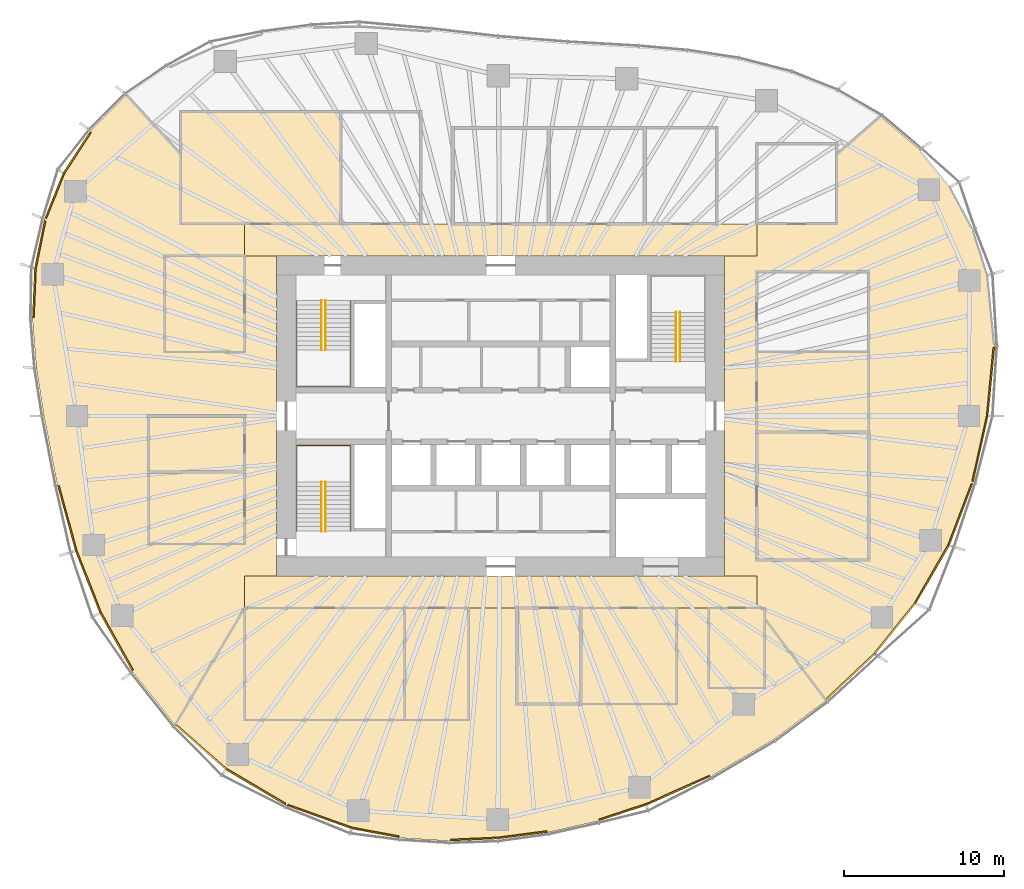
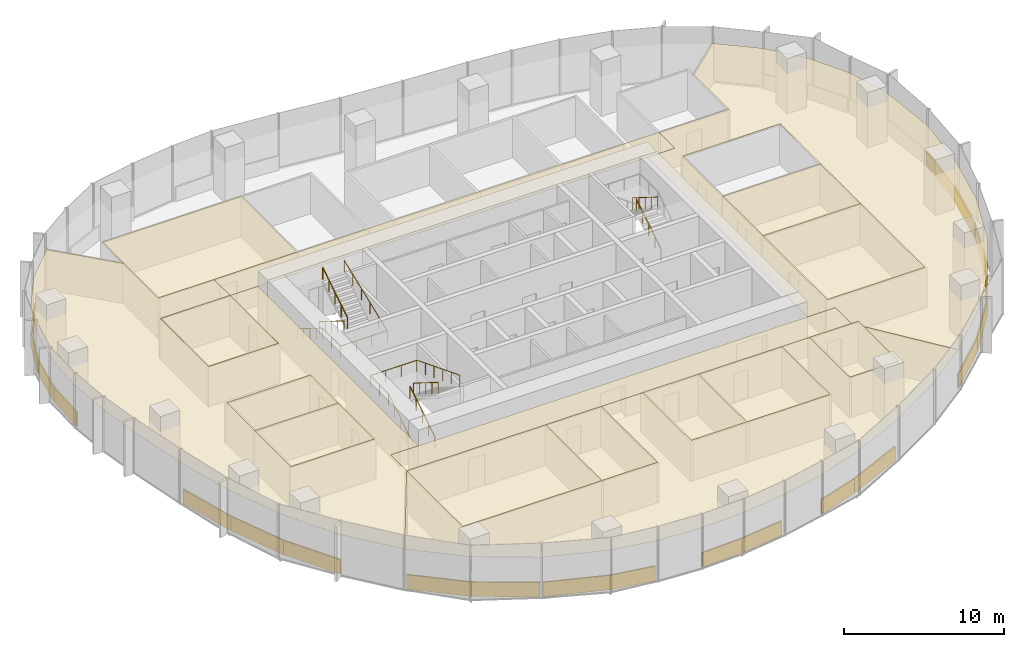
# One storey, part 17 of 18: 37 coverings, 8 railings.
"""IFC4 building model written with IfcOpenShell, lengths in metres."""

import ifcopenshell
import ifcopenshell.guid

model = None  # the IFC model being written
_history = None  # IfcOwnerHistory: only IFC2X3 demands one
_inside = {}  # id of a spatial element -> (the spatial element, [elements in it])
_under = {}  # id of a project, library or spatial element -> (it, [spatial elements below it])
_declared = {}  # id of a project -> (the project, [libraries it declares])
_typed = {}  # id of a type object -> (the type object, [elements of that type])
_made_of = {}  # id of a material, layer set ... -> (it, [elements and type objects made of it])


def new_model(schema):
    """Start an empty IFC model of exactly this schema.

    Asked for "IFC4X3", IfcOpenShell would pick the latest addendum, in which some entities
    have other attributes; the version numbers below select the first issue.
    IFC2X3 requires an IfcOwnerHistory on every rooted entity: one is made here for all.
    """
    global model, _history
    if schema == "IFC4X3":
        model = ifcopenshell.file(schema_version=(4, 3, 0, 0))
    else:
        model = ifcopenshell.file(schema=schema)
    _inside.clear()
    _under.clear()
    _declared.clear()
    _typed.clear()
    _made_of.clear()
    _history = None
    if model.schema == "IFC2X3":
        org = make("IfcOrganization", Name="unknown")
        user = make(
            "IfcPersonAndOrganization",
            ThePerson=make("IfcPerson", FamilyName="unknown"),
            TheOrganization=org,
        )
        app = make(
            "IfcApplication",
            ApplicationDeveloper=org,
            Version="unknown",
            ApplicationFullName="unknown",
            ApplicationIdentifier="unknown",
        )
        _history = make(
            "IfcOwnerHistory",
            OwningUser=user,
            OwningApplication=app,
            ChangeAction="ADDED",
            CreationDate=0,
        )
    return model


def make(cls, **values):
    """One entity of the class cls with the attributes given. An attribute that is None is left unset."""
    return model.create_entity(
        cls, **{name: value for name, value in values.items() if value is not None}
    )


def rooted(cls, **values):
    """An entity with a GlobalId (a new one), such as an element, a storey or a relation."""
    return make(cls, GlobalId=ifcopenshell.guid.new(), OwnerHistory=_history, **values)


def si_unit(unit_type, name, prefix=None):
    """IfcSIUnit, for example si_unit("LENGTHUNIT", "METRE", prefix="MILLI")."""
    return make("IfcSIUnit", UnitType=unit_type, Prefix=prefix, Name=name)


def assignment(units):
    """IfcUnitAssignment: the units of a project."""
    return None if units is None else make("IfcUnitAssignment", Units=units)


def point(xyz):
    """IfcCartesianPoint."""
    return None if xyz is None else make("IfcCartesianPoint", Coordinates=xyz)


def direction(xyz):
    """IfcDirection."""
    return None if xyz is None else make("IfcDirection", DirectionRatios=xyz)


def frame(location, z_axis=None, x_axis=None):
    """IfcAxis2Placement3D, a coordinate frame: its origin and axes. An axis left out is left unset."""
    return make(
        "IfcAxis2Placement3D",
        Location=point(location),
        Axis=direction(z_axis),
        RefDirection=direction(x_axis),
    )


def frame_2d(location, x_axis=None):
    """IfcAxis2Placement2D, a coordinate frame in the plane: its origin and x axis."""
    return make(
        "IfcAxis2Placement2D", Location=point(location), RefDirection=direction(x_axis)
    )


def origin():
    """The frame at (0, 0, 0) with its axes left unset."""
    return frame((0.0, 0.0, 0.0))


def origin_2d():
    """The frame at (0, 0) in the plane with its x axis left unset."""
    return frame_2d((0.0, 0.0))


def place(relative_to, where):
    """IfcLocalPlacement: puts the frame where relative to a parent placement (None: the world)."""
    return make(
        "IfcLocalPlacement", PlacementRelTo=relative_to, RelativePlacement=where
    )


def context(
    kind, dimensions, precision=None, world=None, true_north=None, identifier=None
):
    """IfcGeometricRepresentationContext, for example the 3D "Model" context."""
    return make(
        "IfcGeometricRepresentationContext",
        ContextIdentifier=identifier,
        ContextType=kind,
        CoordinateSpaceDimension=dimensions,
        Precision=precision,
        WorldCoordinateSystem=world,
        TrueNorth=true_north,
    )


def subcontext(parent, identifier, kind, view, scale=None):
    """IfcGeometricRepresentationSubContext, for example "Body" below "Model"."""
    return make(
        "IfcGeometricRepresentationSubContext",
        ContextIdentifier=identifier,
        ContextType=kind,
        ParentContext=parent,
        TargetScale=scale,
        TargetView=view,
    )


def project(units=None, contexts=None):
    """IfcProject with its units and contexts."""
    return rooted(
        "IfcProject",
        Name="project",
        RepresentationContexts=contexts,
        UnitsInContext=assignment(units),
    )


def spatial(cls, under=None, at=None, **own):
    """A site, building, storey or space (cls), placed at a placement, below another one or the project."""
    s = rooted(cls, ObjectPlacement=at, **own)
    if under is not None:
        _under.setdefault(under.id(), (under, []))[1].append(s)
    return s


def polyline(points):
    """IfcPolyline through the points."""
    return make("IfcPolyline", Points=[point(p) for p in points])


def profile(cls, at=None, kind="AREA", **sizes):
    """A parametric profile (cls). Its sizes go by their IFC names, for example OverallWidth=200.0."""
    return make(cls, ProfileType=kind, Position=at, **sizes)


def rectangle(**sizes):
    """IfcRectangleProfileDef."""
    return profile("IfcRectangleProfileDef", **sizes)


def circle(**sizes):
    """IfcCircleProfileDef."""
    return profile("IfcCircleProfileDef", **sizes)


def outline(outer, holes=None, kind="AREA"):
    """IfcArbitraryClosedProfileDef: a profile drawn as a closed curve; with holes, ...WithVoids."""
    if holes is None:
        return make("IfcArbitraryClosedProfileDef", ProfileType=kind, OuterCurve=outer)
    return make(
        "IfcArbitraryProfileDefWithVoids",
        ProfileType=kind,
        OuterCurve=outer,
        InnerCurves=holes,
    )


def extrude(swept, where, along, depth):
    """IfcExtrudedAreaSolid: the profile swept, set in the frame where, extruded along a direction by depth."""
    return make(
        "IfcExtrudedAreaSolid",
        SweptArea=swept,
        Position=where,
        ExtrudedDirection=direction(along),
        Depth=depth,
    )


def shape(context_of_items, identifier, shape_type, items):
    """IfcShapeRepresentation: the items that make up one representation, for example the "Body"."""
    return make(
        "IfcShapeRepresentation",
        ContextOfItems=context_of_items,
        RepresentationIdentifier=identifier,
        RepresentationType=shape_type,
        Items=items,
    )


def material(Name=None, Category=None):
    """IfcMaterial."""
    return make("IfcMaterial", Name=Name, Category=Category)


def layer(
    of_material, thickness, ventilated=None, Name=None, Category=None, Priority=None
):
    """IfcMaterialLayer: one layer of a wall or slab, of a material (None: an air gap)."""
    return make(
        "IfcMaterialLayer",
        Material=of_material,
        LayerThickness=thickness,
        IsVentilated=ventilated,
        Name=Name,
        Category=Category,
        Priority=Priority,
    )


def layer_set(layers, Name=None):
    """IfcMaterialLayerSet."""
    return make("IfcMaterialLayerSet", MaterialLayers=layers, LayerSetName=Name)


def made_of(thing, what):
    """Note that an element or type object is made of a material, layer set ...; save() writes the relation."""
    if what is not None:
        _made_of.setdefault(what.id(), (what, []))[1].append(thing)
    return thing


def type_object(cls, material=None, **own):
    """A type object (cls), such as IfcWallType, which elements share."""
    return made_of(rooted(cls, **own), material)


def element(
    cls,
    number,
    at=None,
    inside=None,
    cuts=None,
    type_object=None,
    material=None,
    context=None,
    identifier="Body",
    shape_type=None,
    held_by="IfcProductDefinitionShape",
    body=None,
    shapes=None,
    **own,
):
    """One element of the class cls, such as IfcWall. Its Tag is "e" and its number.

    at: its placement. inside: the storey or other place that contains it. cuts: it is an
    opening in that element (IfcRelVoidsElement). A single representation is given by context,
    identifier, shape_type and body (its items); several are given by shapes. held_by: the class
    of the entity that holds the representations. save() writes the other relations.
    """
    e = rooted(cls, Tag="e%d" % number, ObjectPlacement=at, **own)
    if body is not None:
        shapes = [shape(context, identifier, shape_type, body)]
    if shapes is not None:
        e.Representation = make(held_by, Representations=shapes)
    if inside is not None:
        _inside.setdefault(inside.id(), (inside, []))[1].append(e)
    if cuts is not None:
        rooted(
            "IfcRelVoidsElement", RelatingBuildingElement=cuts, RelatedOpeningElement=e
        )
    if type_object is not None:
        _typed.setdefault(type_object.id(), (type_object, []))[1].append(e)
    return made_of(e, material)


def aggregate(whole, parts):
    """IfcRelAggregates: a whole, such as a stair, and the parts it consists of."""
    return rooted("IfcRelAggregates", RelatingObject=whole, RelatedObjects=parts)


def save(model, path):
    """Write the relations noted so far, then the file.

    IfcRelAggregates (storeys below a building ...), IfcRelContainedInSpatialStructure (elements
    in a storey), IfcRelDefinesByType, IfcRelAssociatesMaterial and IfcRelDeclares: one each for
    every whole, place, type object, material and project.
    """
    for whole, parts in _under.values():
        aggregate(whole, parts)
    for where, things in _inside.values():
        rooted(
            "IfcRelContainedInSpatialStructure",
            RelatedElements=things,
            RelatingStructure=where,
        )
    for kind, things in _typed.values():
        rooted("IfcRelDefinesByType", RelatedObjects=things, RelatingType=kind)
    for what, things in _made_of.values():
        rooted("IfcRelAssociatesMaterial", RelatedObjects=things, RelatingMaterial=what)
    for by, libraries in _declared.values():
        rooted("IfcRelDeclares", RelatingContext=by, RelatedDefinitions=libraries)
    model.write(path)


model = new_model("IFC4")

# Units and contexts
model_context = context("Model", 3, precision=1e-05, world=origin(), true_north=direction((0.0, 1.0)))
body_context = subcontext(model_context, "Body", "Model", "MODEL_VIEW")
ifc_project = project(units=[si_unit("LENGTHUNIT", "METRE"), si_unit("AREAUNIT", "SQUARE_METRE"), si_unit("VOLUMEUNIT", "CUBIC_METRE"), si_unit("PLANEANGLEUNIT", "RADIAN"), si_unit("MASSUNIT", "GRAM", prefix="KILO")], contexts=[model_context])

# Site, building, storey
site_placement = place(None, origin())
site = spatial("IfcSite", under=ifc_project, at=site_placement, CompositionType="ELEMENT")
building_placement = place(site_placement, origin())
building = spatial("IfcBuilding", under=site, at=building_placement, Name="Ghaith Harvest Tower", CompositionType="ELEMENT")
storey_placement = place(building_placement, frame((0.0, 0.0, 159.60009765625)))
storey = spatial("IfcBuildingStorey", under=building, at=storey_placement, Name="L34", CompositionType="ELEMENT", Elevation=159.60009765625)

# Coverings
ifc_material_1 = material(Name="Mineral fibre ceiling tile", Category="gypsum")
ifc_layer_1 = layer(ifc_material_1, 0.02001953125)
ifc_layer_set_1 = layer_set([ifc_layer_1], Name="CEILING C1")
covering_type_1 = type_object("IfcCoveringType", Name="CEILING C1", PredefinedType="CEILING", material=ifc_layer_set_1)
covering_1_placement = place(storey_placement, frame((0.0, 0.0, 3.0)))
element("IfcCovering", 1, at=covering_1_placement, inside=storey, type_object=covering_type_1, Name="Ceiling L34-01", PredefinedType="CEILING", context=body_context, shape_type="SweptSolid", body=[
    extrude(outline(polyline([(-16.0, -19.0), (-6.0, -19.0), (-6.0, -12.0), (-16.0, -12.0), (-16.0, -19.0)])), origin(), (0.0, 0.0, 1.0), 0.02001953125),
])
covering_2_placement = place(storey_placement, frame((0.0, 0.0, 3.0)))
element("IfcCovering", 2, at=covering_2_placement, inside=storey, type_object=covering_type_1, Name="Ceiling L34-02", PredefinedType="CEILING", context=body_context, shape_type="SweptSolid", body=[
    extrude(outline(polyline([(-6.0, -19.0), (-2.0, -19.0), (-2.0, -12.0), (-6.0, -12.0), (-6.0, -19.0)])), origin(), (0.0, 0.0, 1.0), 0.02001953125),
])
covering_3_placement = place(storey_placement, frame((0.0, 0.0, 3.0)))
element("IfcCovering", 3, at=covering_3_placement, inside=storey, type_object=covering_type_1, Name="Ceiling L34-03", PredefinedType="CEILING", context=body_context, shape_type="SweptSolid", body=[
    extrude(outline(polyline([(1.0, -18.0), (5.0, -18.0), (5.0, -12.0), (1.0, -12.0), (1.0, -18.0)])), origin(), (0.0, 0.0, 1.0), 0.02001953125),
])
covering_4_placement = place(storey_placement, frame((0.0, 0.0, 3.0)))
element("IfcCovering", 4, at=covering_4_placement, inside=storey, type_object=covering_type_1, Name="Ceiling L34-04", PredefinedType="CEILING", context=body_context, shape_type="SweptSolid", body=[
    extrude(outline(polyline([(5.0, -18.0), (11.0, -18.0), (11.0, -12.0), (5.0, -12.0), (5.0, -18.0)])), origin(), (0.0, 0.0, 1.0), 0.02001953125),
])
covering_5_placement = place(storey_placement, frame((0.0, 0.0, 3.0)))
element("IfcCovering", 5, at=covering_5_placement, inside=storey, type_object=covering_type_1, Name="Ceiling L34-05", PredefinedType="CEILING", context=body_context, shape_type="SweptSolid", body=[
    extrude(outline(polyline([(-20.0, 12.0), (-10.0, 12.0), (-10.0, 19.0), (-20.0, 19.0), (-20.0, 12.0)])), origin(), (0.0, 0.0, 1.0), 0.02001953125),
])
covering_6_placement = place(storey_placement, frame((0.0, 0.0, 3.0)))
element("IfcCovering", 6, at=covering_6_placement, inside=storey, type_object=covering_type_1, Name="Ceiling L34-10", PredefinedType="CEILING", context=body_context, shape_type="SweptSolid", body=[
    extrude(outline(polyline([(16.0, -9.0), (23.0, -9.0), (23.0, -1.0), (16.0, -1.0), (16.0, -9.0)])), origin(), (0.0, 0.0, 1.0), 0.02001953125),
])
covering_7_placement = place(storey_placement, frame((0.0, 0.0, 3.0)))
element("IfcCovering", 7, at=covering_7_placement, inside=storey, type_object=covering_type_1, Name="Ceiling L34-11", PredefinedType="CEILING", context=body_context, shape_type="SweptSolid", body=[
    extrude(outline(polyline([(16.0, -1.0), (23.0, -1.0), (23.0, 4.0), (16.0, 4.0), (16.0, -1.0)])), origin(), (0.0, 0.0, 1.0), 0.02001953125),
])
covering_8_placement = place(storey_placement, frame((0.0, 0.0, 3.0)))
element("IfcCovering", 8, at=covering_8_placement, inside=storey, type_object=covering_type_1, Name="Ceiling L34-13", PredefinedType="CEILING", context=body_context, shape_type="SweptSolid", body=[
    extrude(outline(polyline([(-22.0, -8.0), (-16.0, -8.0), (-16.0, -3.5), (-22.0, -3.5), (-22.0, -8.0)])), origin(), (0.0, 0.0, 1.0), 0.02001953125),
])
covering_9_placement = place(storey_placement, frame((0.0, 0.0, 3.0)))
element("IfcCovering", 9, at=covering_9_placement, inside=storey, type_object=covering_type_1, Name="Ceiling L34-14", PredefinedType="CEILING", context=body_context, shape_type="SweptSolid", body=[
    extrude(outline(polyline([(-22.0, -3.5), (-16.0, -3.5), (-16.0, 0.0), (-22.0, 0.0), (-22.0, -3.5)])), origin(), (0.0, 0.0, 1.0), 0.02001953125),
])
covering_10_placement = place(storey_placement, frame((0.0, 0.0, 3.0)))
element("IfcCovering", 10, at=covering_10_placement, inside=storey, type_object=covering_type_1, Name="Ceiling L34-16", PredefinedType="CEILING", context=body_context, shape_type="SweptSolid", body=[
    extrude(outline(polyline([(13.0, -17.0), (16.5, -17.0), (16.5, -12.0), (13.0, -12.0), (13.0, -17.0)])), origin(), (0.0, 0.0, 1.0), 0.02001953125),
])
covering_11_placement = place(storey_placement, frame((0.0, 0.0, 3.0)))
element("IfcCovering", 11, at=covering_11_placement, inside=storey, type_object=covering_type_1, Name="Ceiling L34-17", PredefinedType="CEILING", context=body_context, shape_type="SweptSolid", body=[
    extrude(outline(polyline([(-21.0, 4.0), (-16.0, 4.0), (-16.0, 10.0), (-21.0, 10.0), (-21.0, 4.0)])), origin(), (0.0, 0.0, 1.0), 0.02001953125),
])
covering_12_placement = place(storey_placement, frame((0.0, 0.0, 3.0)))
element("IfcCovering", 12, at=covering_12_placement, inside=storey, type_object=covering_type_1, Name="Ceiling L34-C1", PredefinedType="CEILING", context=body_context, shape_type="SweptSolid", body=[
    extrude(outline(polyline([(16.0, 10.0), (-16.0, 10.0), (-16.0, 12.0), (16.0, 12.0), (16.0, 10.0)])), origin(), (0.0, 0.0, 1.0), 0.02001953125),
])
covering_13_placement = place(storey_placement, frame((0.0, 0.0, 3.0)))
element("IfcCovering", 13, at=covering_13_placement, inside=storey, type_object=covering_type_1, Name="Ceiling L34-C2", PredefinedType="CEILING", context=body_context, shape_type="SweptSolid", body=[
    extrude(outline(polyline([(-16.0, -10.0), (16.0, -10.0), (16.0, -12.0), (-16.0, -12.0), (-16.0, -10.0)])), origin(), (0.0, 0.0, 1.0), 0.02001953125),
])
covering_14_placement = place(storey_placement, frame((0.0, 0.0, 3.0)))
element("IfcCovering", 14, at=covering_14_placement, inside=storey, type_object=covering_type_1, Name="Ceiling L34-E1", PredefinedType="CEILING", context=body_context, shape_type="SweptSolid", body=[
    extrude(outline(polyline([(26.179443359375, 16.660888671875), (28.0888671875, 14.32568359375), (29.52294921875, 11.671875), (30.439208984375, 8.797607421875), (30.8798828125, 4.373046875), (30.458740234375, 0.0), (29.527099609375, -4.181396484375), (28.03125, -8.1015625), (25.94775390625, -11.714111328125), (23.400390625, -14.89208984375), (20.33935546875, -17.784912109375), (16.5, -12.66650390625), (16.5, -12.0), (16.0, -12.0), (16.0, -10.0), (14.0, -10.0), (14.0, 10.0), (16.0, 10.0), (16.0, 12.0), (21.0, 12.0), (21.0, 16.3466796875), (23.7275390625, 18.718017578125), (26.179443359375, 16.660888671875)]), holes=[polyline([(23.0, -9.0), (23.0, 9.0), (16.0, 9.0), (16.0, -9.0), (23.0, -9.0)])]), origin(), (0.0, 0.0, 1.0), 0.02001953125),
])
covering_15_placement = place(storey_placement, frame((0.0, 0.0, 3.0)))
element("IfcCovering", 15, at=covering_15_placement, inside=storey, type_object=covering_type_1, Name="Ceiling L34-S1", PredefinedType="CEILING", context=body_context, shape_type="SweptSolid", body=[
    extrude(outline(polyline([(17.054443359375, -20.22412109375), (13.163818359375, -22.510498046875), (9.09423828125, -24.326904296875), (6.09228515625, -25.308837890625), (2.99609375, -26.010009765625), (-0.180908203125, -26.423583984375), (-3.204833984375, -26.556884765625), (-6.2666015625, -26.366455078125), (-9.317138671875, -25.79638671875), (-13.4052734375, -24.33740234375), (-17.1728515625, -22.11181640625), (-20.35400390625, -19.31396484375), (-16.0, -12.0), (-16.0, -19.0), (-2.0, -19.0), (-2.0, -12.0), (1.0, -12.0), (1.0, -18.0), (11.0, -18.0), (11.0, -12.0), (13.0, -12.0), (13.0, -17.0), (16.5, -17.0), (16.5, -12.66650390625), (20.33935546875, -17.784912109375), (17.054443359375, -20.22412109375)])), origin(), (0.0, 0.0, 1.0), 0.02001953125),
])
covering_16_placement = place(storey_placement, frame((0.0, 0.0, 3.0)))
element("IfcCovering", 16, at=covering_16_placement, inside=storey, type_object=covering_type_1, Name="Ceiling L34-W1", PredefinedType="CEILING", context=body_context, shape_type="SweptSolid", body=[
    extrude(outline(polyline([(-27.70947265625, -4.285888671875), (-28.541259765625, 0.0), (-29.01171875, 2.978271484375), (-29.260498046875, 6.07177734375), (-29.12646484375, 9.230712890625), (-28.506591796875, 12.29638671875), (-27.33837890625, 15.204833984375), (-25.61962890625, 17.826416015625), (-23.398193359375, 20.06103515625), (-20.0, 16.3583984375), (-20.0, 12.0), (-16.0, 12.0), (-16.0, 10.010009765625), (-21.010009765625, 10.010009765625), (-21.010009765625, 3.989990234375), (-15.989990234375, 3.989990234375), (-15.989990234375, 10.0), (-14.0, 10.0), (-14.0, -10.0), (-16.0, -10.0), (-16.0, -12.0), (-20.35400390625, -19.31396484375), (-22.99169921875, -15.997802734375), (-25.046875, -12.32861328125), (-26.580078125, -8.423583984375), (-27.70947265625, -4.285888671875)]), holes=[polyline([(-16.0, -8.0), (-16.0, 0.0), (-22.0, 0.0), (-22.0, -8.0), (-16.0, -8.0)])]), origin(), (0.0, 0.0, 1.0), 0.02001953125),
])

# Railings
ifc_material_2 = material(Name="Steel, black powder-coated", Category="steel")
railing_type = type_object("IfcRailingType", Name="HANDRAIL HR1", PredefinedType="HANDRAIL", material=ifc_material_2)
railing_1_placement = place(storey_placement, frame((-11.199951171875, 7.199951171875, 0.1748046875)))
element("IfcRailing", 17, at=railing_1_placement, inside=storey, type_object=railing_type, Name="Handrail HR1 stair ST1 L34 flight 1 inner", PredefinedType="HANDRAIL", context=body_context, shape_type="SweptSolid", body=[
    extrude(circle(Radius=0.02392578125, at=origin_2d()), frame((0.0, 0.0, 0.8759765625), z_axis=(0.0, -0.847979421464, 0.530029150871), x_axis=(1.0, 0.0, 0.0)), (0.0, 0.0, 1.0), 3.632080078125),
    extrude(circle(Radius=0.02099609375, at=origin_2d()), origin(), (0.0, 0.0, 1.0), 0.851806640625),
    extrude(circle(Radius=0.02099609375, at=origin_2d()), frame((0.0, -0.77001953125, 0.481201171875)), (0.0, 0.0, 1.0), 0.851806640625),
    extrude(circle(Radius=0.02099609375, at=origin_2d()), frame((0.0, -1.5400390625, 0.96240234375)), (0.0, 0.0, 1.0), 0.851806640625),
    extrude(circle(Radius=0.02099609375, at=origin_2d()), frame((0.0, -2.309814453125, 1.44384765625)), (0.0, 0.0, 1.0), 0.851806640625),
    extrude(circle(Radius=0.02099609375, at=origin_2d()), frame((0.0, -3.079833984375, 1.925048828125)), (0.0, 0.0, 1.0), 0.851806640625),
])
railing_2_placement = place(storey_placement, frame((-10.949951171875, 4.1201171875, 2.27490234375)))
element("IfcRailing", 18, at=railing_2_placement, inside=storey, type_object=railing_type, Name="Handrail HR1 stair ST1 L34 flight 2 inner", PredefinedType="HANDRAIL", context=body_context, shape_type="SweptSolid", body=[
    extrude(circle(Radius=0.02392578125, at=origin_2d()), frame((0.0, 0.0, 0.8759765625), z_axis=(0.0, 0.847979421464, 0.530029150871), x_axis=(-1.0, 0.0, 0.0)), (0.0, 0.0, 1.0), 3.632080078125),
    extrude(circle(Radius=0.02099609375, at=origin_2d()), origin(), (0.0, 0.0, 1.0), 0.851806640625),
    extrude(circle(Radius=0.02099609375, at=origin_2d()), frame((0.0, 0.77001953125, 0.481201171875)), (0.0, 0.0, 1.0), 0.851806640625),
    extrude(circle(Radius=0.02099609375, at=origin_2d()), frame((0.0, 1.5400390625, 0.96240234375)), (0.0, 0.0, 1.0), 0.851806640625),
    extrude(circle(Radius=0.02099609375, at=origin_2d()), frame((0.0, 2.309814453125, 1.44384765625)), (0.0, 0.0, 1.0), 0.851806640625),
    extrude(circle(Radius=0.02099609375, at=origin_2d()), frame((0.0, 3.079833984375, 1.925048828125)), (0.0, 0.0, 1.0), 0.851806640625),
])
railing_3_placement = place(storey_placement, frame((-12.75, 7.199951171875, 0.1748046875)))
element("IfcRailing", 19, at=railing_3_placement, inside=storey, type_object=railing_type, Name="Handrail HR1 stair ST1 L34 wall side", PredefinedType="HANDRAIL", context=body_context, shape_type="SweptSolid", body=[
    extrude(circle(Radius=0.02392578125, at=origin_2d()), frame((0.0, 0.0, 0.8759765625), z_axis=(0.0, -0.847979421464, 0.530029150871), x_axis=(1.0, 0.0, 0.0)), (0.0, 0.0, 1.0), 3.632080078125),
    extrude(circle(Radius=0.02392578125, at=origin_2d()), frame((0.0, -3.079833984375, 2.80078125), z_axis=(0.0, -1.0, 0.0), x_axis=(1.0, 0.0, 0.0)), (0.0, 0.0, 1.0), 2.27001953125),
    extrude(circle(Radius=0.02392578125, at=origin_2d()), frame((0.0, -5.349853515625, 2.80078125), z_axis=(1.0, 0.0, 0.0), x_axis=(0.0, 1.0, 0.0)), (0.0, 0.0, 1.0), 3.35009765625),
    extrude(circle(Radius=0.02392578125, at=origin_2d()), frame((3.35009765625, -5.349853515625, 2.80078125), z_axis=(0.0, 0.930848013298, 0.36540659017), x_axis=(-1.0, 0.0, 0.0)), (0.0, 0.0, 1.0), 5.747314453125),
    extrude(circle(Radius=0.02099609375, at=origin_2d()), origin(), (0.0, 0.0, 1.0), 0.851806640625),
    extrude(circle(Radius=0.02099609375, at=origin_2d()), frame((0.0, -0.77001953125, 0.481201171875)), (0.0, 0.0, 1.0), 0.851806640625),
    extrude(circle(Radius=0.02099609375, at=origin_2d()), frame((0.0, -1.5400390625, 0.96240234375)), (0.0, 0.0, 1.0), 0.851806640625),
    extrude(circle(Radius=0.02099609375, at=origin_2d()), frame((0.0, -2.309814453125, 1.44384765625)), (0.0, 0.0, 1.0), 0.851806640625),
    extrude(circle(Radius=0.02099609375, at=origin_2d()), frame((0.0, -3.079833984375, 1.925048828125)), (0.0, 0.0, 1.0), 0.851806640625),
    extrude(circle(Radius=0.02099609375, at=origin_2d()), frame((0.0, -4.21484375, 1.925048828125)), (0.0, 0.0, 1.0), 0.851806640625),
    extrude(circle(Radius=0.02099609375, at=origin_2d()), frame((0.0, -5.349853515625, 1.925048828125)), (0.0, 0.0, 1.0), 0.851806640625),
    extrude(circle(Radius=0.02099609375, at=origin_2d()), frame((1.11669921875, -5.349853515625, 1.925048828125)), (0.0, 0.0, 1.0), 0.851806640625),
    extrude(circle(Radius=0.02099609375, at=origin_2d()), frame((2.2333984375, -5.349853515625, 1.925048828125)), (0.0, 0.0, 1.0), 0.851806640625),
    extrude(circle(Radius=0.02099609375, at=origin_2d()), frame((3.35009765625, -5.349853515625, 1.925048828125)), (0.0, 0.0, 1.0), 0.851806640625),
    extrude(circle(Radius=0.02099609375, at=origin_2d()), frame((3.35009765625, -4.27978515625, 2.344970703125)), (0.0, 0.0, 1.0), 0.851806640625),
    extrude(circle(Radius=0.02099609375, at=origin_2d()), frame((3.35009765625, -3.2099609375, 2.76513671875)), (0.0, 0.0, 1.0), 0.851806640625),
    extrude(circle(Radius=0.02099609375, at=origin_2d()), frame((3.35009765625, -2.139892578125, 3.18505859375)), (0.0, 0.0, 1.0), 0.851806640625),
    extrude(circle(Radius=0.02099609375, at=origin_2d()), frame((3.35009765625, -1.070068359375, 3.605224609375)), (0.0, 0.0, 1.0), 0.851806640625),
    extrude(circle(Radius=0.02099609375, at=origin_2d()), frame((3.35009765625, 0.0, 4.025146484375)), (0.0, 0.0, 1.0), 0.851806640625),
])
railing_4_placement = place(storey_placement, frame((-11.199951171875, -7.199951171875, 0.1748046875)))
element("IfcRailing", 20, at=railing_4_placement, inside=storey, type_object=railing_type, Name="Handrail HR1 stair ST3 L34 flight 1 inner", PredefinedType="HANDRAIL", context=body_context, shape_type="SweptSolid", body=[
    extrude(circle(Radius=0.02392578125, at=origin_2d()), frame((0.0, 0.0, 0.8759765625), z_axis=(0.0, 0.847979421464, 0.530029150871), x_axis=(-1.0, 0.0, 0.0)), (0.0, 0.0, 1.0), 3.632080078125),
    extrude(circle(Radius=0.02099609375, at=origin_2d()), origin(), (0.0, 0.0, 1.0), 0.851806640625),
    extrude(circle(Radius=0.02099609375, at=origin_2d()), frame((0.0, 0.77001953125, 0.481201171875)), (0.0, 0.0, 1.0), 0.851806640625),
    extrude(circle(Radius=0.02099609375, at=origin_2d()), frame((0.0, 1.5400390625, 0.96240234375)), (0.0, 0.0, 1.0), 0.851806640625),
    extrude(circle(Radius=0.02099609375, at=origin_2d()), frame((0.0, 2.309814453125, 1.44384765625)), (0.0, 0.0, 1.0), 0.851806640625),
    extrude(circle(Radius=0.02099609375, at=origin_2d()), frame((0.0, 3.079833984375, 1.925048828125)), (0.0, 0.0, 1.0), 0.851806640625),
])
railing_5_placement = place(storey_placement, frame((-10.949951171875, -4.1201171875, 2.27490234375)))
element("IfcRailing", 21, at=railing_5_placement, inside=storey, type_object=railing_type, Name="Handrail HR1 stair ST3 L34 flight 2 inner", PredefinedType="HANDRAIL", context=body_context, shape_type="SweptSolid", body=[
    extrude(circle(Radius=0.02392578125, at=origin_2d()), frame((0.0, 0.0, 0.8759765625), z_axis=(0.0, -0.847979421464, 0.530029150871), x_axis=(1.0, 0.0, 0.0)), (0.0, 0.0, 1.0), 3.632080078125),
    extrude(circle(Radius=0.02099609375, at=origin_2d()), origin(), (0.0, 0.0, 1.0), 0.851806640625),
    extrude(circle(Radius=0.02099609375, at=origin_2d()), frame((0.0, -0.77001953125, 0.481201171875)), (0.0, 0.0, 1.0), 0.851806640625),
    extrude(circle(Radius=0.02099609375, at=origin_2d()), frame((0.0, -1.5400390625, 0.96240234375)), (0.0, 0.0, 1.0), 0.851806640625),
    extrude(circle(Radius=0.02099609375, at=origin_2d()), frame((0.0, -2.309814453125, 1.44384765625)), (0.0, 0.0, 1.0), 0.851806640625),
    extrude(circle(Radius=0.02099609375, at=origin_2d()), frame((0.0, -3.079833984375, 1.925048828125)), (0.0, 0.0, 1.0), 0.851806640625),
])
railing_6_placement = place(storey_placement, frame((-12.75, -7.199951171875, 0.1748046875)))
element("IfcRailing", 22, at=railing_6_placement, inside=storey, type_object=railing_type, Name="Handrail HR1 stair ST3 L34 wall side", PredefinedType="HANDRAIL", context=body_context, shape_type="SweptSolid", body=[
    extrude(circle(Radius=0.02392578125, at=origin_2d()), frame((0.0, 0.0, 0.8759765625), z_axis=(0.0, 0.847979421464, 0.530029150871), x_axis=(-1.0, 0.0, 0.0)), (0.0, 0.0, 1.0), 3.632080078125),
    extrude(circle(Radius=0.02392578125, at=origin_2d()), frame((0.0, 3.079833984375, 2.80078125), z_axis=(0.0, 1.0, 0.0), x_axis=(-1.0, 0.0, 0.0)), (0.0, 0.0, 1.0), 2.27001953125),
    extrude(circle(Radius=0.02392578125, at=origin_2d()), frame((0.0, 5.349853515625, 2.80078125), z_axis=(1.0, 0.0, 0.0), x_axis=(0.0, 1.0, 0.0)), (0.0, 0.0, 1.0), 3.35009765625),
    extrude(circle(Radius=0.02392578125, at=origin_2d()), frame((3.35009765625, 5.349853515625, 2.80078125), z_axis=(0.0, -0.930848013298, 0.36540659017), x_axis=(1.0, 0.0, 0.0)), (0.0, 0.0, 1.0), 5.747314453125),
    extrude(circle(Radius=0.02099609375, at=origin_2d()), origin(), (0.0, 0.0, 1.0), 0.851806640625),
    extrude(circle(Radius=0.02099609375, at=origin_2d()), frame((0.0, 0.77001953125, 0.481201171875)), (0.0, 0.0, 1.0), 0.851806640625),
    extrude(circle(Radius=0.02099609375, at=origin_2d()), frame((0.0, 1.5400390625, 0.96240234375)), (0.0, 0.0, 1.0), 0.851806640625),
    extrude(circle(Radius=0.02099609375, at=origin_2d()), frame((0.0, 2.309814453125, 1.44384765625)), (0.0, 0.0, 1.0), 0.851806640625),
    extrude(circle(Radius=0.02099609375, at=origin_2d()), frame((0.0, 3.079833984375, 1.925048828125)), (0.0, 0.0, 1.0), 0.851806640625),
    extrude(circle(Radius=0.02099609375, at=origin_2d()), frame((0.0, 4.21484375, 1.925048828125)), (0.0, 0.0, 1.0), 0.851806640625),
    extrude(circle(Radius=0.02099609375, at=origin_2d()), frame((0.0, 5.349853515625, 1.925048828125)), (0.0, 0.0, 1.0), 0.851806640625),
    extrude(circle(Radius=0.02099609375, at=origin_2d()), frame((1.11669921875, 5.349853515625, 1.925048828125)), (0.0, 0.0, 1.0), 0.851806640625),
    extrude(circle(Radius=0.02099609375, at=origin_2d()), frame((2.2333984375, 5.349853515625, 1.925048828125)), (0.0, 0.0, 1.0), 0.851806640625),
    extrude(circle(Radius=0.02099609375, at=origin_2d()), frame((3.35009765625, 5.349853515625, 1.925048828125)), (0.0, 0.0, 1.0), 0.851806640625),
    extrude(circle(Radius=0.02099609375, at=origin_2d()), frame((3.35009765625, 4.27978515625, 2.344970703125)), (0.0, 0.0, 1.0), 0.851806640625),
    extrude(circle(Radius=0.02099609375, at=origin_2d()), frame((3.35009765625, 3.2099609375, 2.76513671875)), (0.0, 0.0, 1.0), 0.851806640625),
    extrude(circle(Radius=0.02099609375, at=origin_2d()), frame((3.35009765625, 2.139892578125, 3.18505859375)), (0.0, 0.0, 1.0), 0.851806640625),
    extrude(circle(Radius=0.02099609375, at=origin_2d()), frame((3.35009765625, 1.070068359375, 3.605224609375)), (0.0, 0.0, 1.0), 0.851806640625),
    extrude(circle(Radius=0.02099609375, at=origin_2d()), frame((3.35009765625, 0.0, 4.025146484375)), (0.0, 0.0, 1.0), 0.851806640625),
])
railing_7_placement = place(storey_placement, frame((11.199951171875, 3.39990234375, 0.1748046875)))
element("IfcRailing", 23, at=railing_7_placement, inside=storey, type_object=railing_type, Name="Handrail HR1 stair ST2 L34 flight 1 inner", PredefinedType="HANDRAIL", context=body_context, shape_type="SweptSolid", body=[
    extrude(circle(Radius=0.02392578125, at=origin_2d()), frame((0.0, 0.0, 0.8759765625), z_axis=(0.0, 0.847998304005, 0.529998940003), x_axis=(-1.0, 0.0, 0.0)), (0.0, 0.0, 1.0), 3.632080078125),
    extrude(circle(Radius=0.02099609375, at=origin_2d()), origin(), (0.0, 0.0, 1.0), 0.851806640625),
    extrude(circle(Radius=0.02099609375, at=origin_2d()), frame((0.0, 0.77001953125, 0.481201171875)), (0.0, 0.0, 1.0), 0.851806640625),
    extrude(circle(Radius=0.02099609375, at=origin_2d()), frame((0.0, 1.5400390625, 0.96240234375)), (0.0, 0.0, 1.0), 0.851806640625),
    extrude(circle(Radius=0.02099609375, at=origin_2d()), frame((0.0, 2.31005859375, 1.44384765625)), (0.0, 0.0, 1.0), 0.851806640625),
    extrude(circle(Radius=0.02099609375, at=origin_2d()), frame((0.0, 3.080078125, 1.925048828125)), (0.0, 0.0, 1.0), 0.851806640625),
])
railing_8_placement = place(storey_placement, frame((10.949951171875, 6.47998046875, 2.27490234375)))
element("IfcRailing", 24, at=railing_8_placement, inside=storey, type_object=railing_type, Name="Handrail HR1 stair ST2 L34 flight 2 inner", PredefinedType="HANDRAIL", context=body_context, shape_type="SweptSolid", body=[
    extrude(circle(Radius=0.02392578125, at=origin_2d()), frame((0.0, 0.0, 0.8759765625), z_axis=(0.0, -0.847998304005, 0.529998940003), x_axis=(1.0, 0.0, 0.0)), (0.0, 0.0, 1.0), 3.632080078125),
    extrude(circle(Radius=0.02099609375, at=origin_2d()), origin(), (0.0, 0.0, 1.0), 0.851806640625),
    extrude(circle(Radius=0.02099609375, at=origin_2d()), frame((0.0, -0.77001953125, 0.481201171875)), (0.0, 0.0, 1.0), 0.851806640625),
    extrude(circle(Radius=0.02099609375, at=origin_2d()), frame((0.0, -1.5400390625, 0.96240234375)), (0.0, 0.0, 1.0), 0.851806640625),
    extrude(circle(Radius=0.02099609375, at=origin_2d()), frame((0.0, -2.31005859375, 1.44384765625)), (0.0, 0.0, 1.0), 0.851806640625),
    extrude(circle(Radius=0.02099609375, at=origin_2d()), frame((0.0, -3.080078125, 1.925048828125)), (0.0, 0.0, 1.0), 0.851806640625),
])

# Coverings
ifc_material_3 = material(Name="Insulated aluminium spandrel panel on steel framing", Category="steel")
ifc_layer_2 = layer(ifc_material_3, 0.10009765625)
ifc_layer_set_2 = layer_set([ifc_layer_2], Name="SLAB EDGE UPSTAND 1100x100")
covering_type_2 = type_object("IfcCoveringType", Name="SLAB EDGE UPSTAND 1100x100", PredefinedType="CLADDING", material=ifc_layer_set_2)
covering_17_placement = place(storey_placement, frame((30.61474609375, 2.1416015625, -0.000244140625), z_axis=(0.0, 0.0, 1.0), x_axis=(0.095861332319, 0.99539469808, 0.0)))
element("IfcCovering", 25, at=covering_17_placement, inside=storey, type_object=covering_type_2, Name="Slab edge upstand 1 bay 01 L34", PredefinedType="CLADDING", context=body_context, shape_type="SweptSolid", body=[
    extrude(rectangle(XDim=4.293212890625, YDim=0.10009765625, at=origin_2d()), origin(), (0.0, 0.0, 1.0), 1.10009765625),
])
covering_18_placement = place(storey_placement, frame((-26.464599609375, 16.4462890625, -0.000244140625), z_axis=(0.0, 0.0, 1.0), x_axis=(-0.548312211554, -0.836273710373, 0.0)))
element("IfcCovering", 26, at=covering_18_placement, inside=storey, type_object=covering_type_2, Name="Slab edge upstand 1 bay 09 L34", PredefinedType="CLADDING", context=body_context, shape_type="SweptSolid", body=[
    extrude(rectangle(XDim=3.03466796875, YDim=0.10009765625, at=origin_2d()), origin(), (0.0, 0.0, 1.0), 1.10009765625),
])
covering_19_placement = place(storey_placement, frame((-27.857421875, 13.7783203125, -0.000244140625), z_axis=(0.0, 0.0, 1.0), x_axis=(-0.372732078847, -0.927939005215, 0.0)))
element("IfcCovering", 27, at=covering_19_placement, inside=storey, type_object=covering_type_2, Name="Slab edge upstand 2 bay 09 L34", PredefinedType="CLADDING", context=body_context, shape_type="SweptSolid", body=[
    extrude(rectangle(XDim=3.034423828125, YDim=0.10009765625, at=origin_2d()), origin(), (0.0, 0.0, 1.0), 1.10009765625),
])
covering_20_placement = place(storey_placement, frame((-28.777587890625, 10.70458984375, -0.000244140625), z_axis=(0.0, 0.0, 1.0), x_axis=(-0.198182542943, -0.980165128778, 0.0)))
element("IfcCovering", 28, at=covering_20_placement, inside=storey, type_object=covering_type_2, Name="Slab edge upstand 3 bay 09 L34", PredefinedType="CLADDING", context=body_context, shape_type="SweptSolid", body=[
    extrude(rectangle(XDim=3.027587890625, YDim=0.10009765625, at=origin_2d()), origin(), (0.0, 0.0, 1.0), 1.10009765625),
])
covering_21_placement = place(storey_placement, frame((-29.141357421875, 7.69921875, -0.000244140625), z_axis=(0.0, 0.0, 1.0), x_axis=(-0.042372799788, -0.9991018696, 0.0)))
element("IfcCovering", 29, at=covering_21_placement, inside=storey, type_object=covering_type_2, Name="Slab edge upstand 1 bay 10 L34", PredefinedType="CLADDING", context=body_context, shape_type="SweptSolid", body=[
    extrude(rectangle(XDim=3.061767578125, YDim=0.10009765625, at=origin_2d()), origin(), (0.0, 0.0, 1.0), 1.10009765625),
])
covering_22_placement = place(storey_placement, frame((-27.08349609375, -6.389892578125, -0.000244140625), z_axis=(0.0, 0.0, 1.0), x_axis=(0.263287721652, -0.964717355305, 0.0)))
element("IfcCovering", 30, at=covering_22_placement, inside=storey, type_object=covering_type_2, Name="Slab edge upstand 2 bay 11 L34", PredefinedType="CLADDING", context=body_context, shape_type="SweptSolid", body=[
    extrude(rectangle(XDim=4.189208984375, YDim=0.10009765625, at=origin_2d()), origin(), (0.0, 0.0, 1.0), 1.10009765625),
])
covering_23_placement = place(storey_placement, frame((-25.76708984375, -10.35791015625, -0.000244140625), z_axis=(0.0, 0.0, 1.0), x_axis=(0.365514970008, -0.930805461254, 0.0)))
element("IfcCovering", 31, at=covering_23_placement, inside=storey, type_object=covering_type_2, Name="Slab edge upstand 1 bay 12 L34", PredefinedType="CLADDING", context=body_context, shape_type="SweptSolid", body=[
    extrude(rectangle(XDim=4.195068359375, YDim=0.10009765625, at=origin_2d()), origin(), (0.0, 0.0, 1.0), 1.10009765625),
])
covering_24_placement = place(storey_placement, frame((-24.0, -14.09521484375, -0.000244140625), z_axis=(0.0, 0.0, 1.0), x_axis=(0.488683758288, -0.872460993045, 0.0)))
element("IfcCovering", 32, at=covering_24_placement, inside=storey, type_object=covering_type_2, Name="Slab edge upstand 2 bay 12 L34", PredefinedType="CLADDING", context=body_context, shape_type="SweptSolid", body=[
    extrude(rectangle(XDim=4.10546875, YDim=0.10009765625, at=origin_2d()), origin(), (0.0, 0.0, 1.0), 1.10009765625),
])
covering_25_placement = place(storey_placement, frame((-18.69287109375, -20.70849609375, -0.000244140625), z_axis=(0.0, 0.0, 1.0), x_axis=(0.75089221411, -0.660424774511, 0.0)))
element("IfcCovering", 33, at=covering_25_placement, inside=storey, type_object=covering_type_2, Name="Slab edge upstand 2 bay 13 L34", PredefinedType="CLADDING", context=body_context, shape_type="SweptSolid", body=[
    extrude(rectangle(XDim=4.136474609375, YDim=0.10009765625, at=origin_2d()), origin(), (0.0, 0.0, 1.0), 1.10009765625),
])
covering_26_placement = place(storey_placement, frame((-15.306640625, -23.15625, -0.000244140625), z_axis=(0.0, 0.0, 1.0), x_axis=(0.861020519069, -0.508570217121, 0.0)))
element("IfcCovering", 34, at=covering_26_placement, inside=storey, type_object=covering_type_2, Name="Slab edge upstand 1 bay 14 L34", PredefinedType="CLADDING", context=body_context, shape_type="SweptSolid", body=[
    extrude(rectangle(XDim=4.27587890625, YDim=0.10009765625, at=origin_2d()), origin(), (0.0, 0.0, 1.0), 1.10009765625),
])
covering_27_placement = place(storey_placement, frame((-11.29736328125, -25.03662109375, -0.000244140625), z_axis=(0.0, 0.0, 1.0), x_axis=(0.941807015649, -0.336154049915, 0.0)))
element("IfcCovering", 35, at=covering_27_placement, inside=storey, type_object=covering_type_2, Name="Slab edge upstand 2 bay 14 L34", PredefinedType="CLADDING", context=body_context, shape_type="SweptSolid", body=[
    extrude(rectangle(XDim=4.24072265625, YDim=0.10009765625, at=origin_2d()), origin(), (0.0, 0.0, 1.0), 1.10009765625),
])
covering_28_placement = place(storey_placement, frame((-7.831787109375, -26.023193359375, -0.000244140625), z_axis=(0.0, 0.0, 1.0), x_axis=(0.982990071164, -0.183658705191, 0.0)))
element("IfcCovering", 36, at=covering_28_placement, inside=storey, type_object=covering_type_2, Name="Slab edge upstand 1 bay 15 L34", PredefinedType="CLADDING", context=body_context, shape_type="SweptSolid", body=[
    extrude(rectangle(XDim=3.003173828125, YDim=0.10009765625, at=origin_2d()), origin(), (0.0, 0.0, 1.0), 1.10009765625),
])
covering_29_placement = place(storey_placement, frame((-1.64501953125, -26.43798828125, -0.000244140625), z_axis=(0.0, 0.0, 1.0), x_axis=(0.999029547734, 0.044045008275, 0.0)))
element("IfcCovering", 37, at=covering_29_placement, inside=storey, type_object=covering_type_2, Name="Slab edge upstand 3 bay 15 L34", PredefinedType="CLADDING", context=body_context, shape_type="SweptSolid", body=[
    extrude(rectangle(XDim=2.927001953125, YDim=0.10009765625, at=origin_2d()), origin(), (0.0, 0.0, 1.0), 1.10009765625),
])
covering_30_placement = place(storey_placement, frame((1.3515625, -26.173583984375, -0.000244140625), z_axis=(0.0, 0.0, 1.0), x_axis=(0.991633707242, 0.129083657611, 0.0)))
element("IfcCovering", 38, at=covering_30_placement, inside=storey, type_object=covering_type_2, Name="Slab edge upstand 1 bay 16 L34", PredefinedType="CLADDING", context=body_context, shape_type="SweptSolid", body=[
    extrude(rectangle(XDim=3.103759765625, YDim=0.10009765625, at=origin_2d()), origin(), (0.0, 0.0, 1.0), 1.10009765625),
])
covering_31_placement = place(storey_placement, frame((7.625244140625, -24.754638671875, -0.000244140625), z_axis=(0.0, 0.0, 1.0), x_axis=(0.950441392134, 0.310903779518, 0.0)))
element("IfcCovering", 39, at=covering_31_placement, inside=storey, type_object=covering_type_2, Name="Slab edge upstand 3 bay 16 L34", PredefinedType="CLADDING", context=body_context, shape_type="SweptSolid", body=[
    extrude(rectangle(XDim=3.05859375, YDim=0.10009765625, at=origin_2d()), origin(), (0.0, 0.0, 1.0), 1.10009765625),
])
covering_32_placement = place(storey_placement, frame((11.06298828125, -23.393310546875, -0.000244140625), z_axis=(0.0, 0.0, 1.0), x_axis=(0.913170343632, 0.407578119519, 0.0)))
element("IfcCovering", 40, at=covering_32_placement, inside=storey, type_object=covering_type_2, Name="Slab edge upstand 1 bay 17 L34", PredefinedType="CLADDING", context=body_context, shape_type="SweptSolid", body=[
    extrude(rectangle(XDim=4.356689453125, YDim=0.10009765625, at=origin_2d()), origin(), (0.0, 0.0, 1.0), 1.10009765625),
])
covering_33_placement = place(storey_placement, frame((21.871826171875, -16.267822265625, -0.000244140625), z_axis=(0.0, 0.0, 1.0), x_axis=(0.72680962062, 0.686838973395, 0.0)))
element("IfcCovering", 41, at=covering_33_placement, inside=storey, type_object=covering_type_2, Name="Slab edge upstand 2 bay 18 L34", PredefinedType="CLADDING", context=body_context, shape_type="SweptSolid", body=[
    extrude(rectangle(XDim=4.111572265625, YDim=0.10009765625, at=origin_2d()), origin(), (0.0, 0.0, 1.0), 1.10009765625),
])
covering_34_placement = place(storey_placement, frame((24.635009765625, -13.27197265625, -0.000244140625), z_axis=(0.0, 0.0, 1.0), x_axis=(0.625468377377, 0.780249517079, 0.0)))
element("IfcCovering", 42, at=covering_34_placement, inside=storey, type_object=covering_type_2, Name="Slab edge upstand 1 bay 19 L34", PredefinedType="CLADDING", context=body_context, shape_type="SweptSolid", body=[
    extrude(rectangle(XDim=4.072998046875, YDim=0.10009765625, at=origin_2d()), origin(), (0.0, 0.0, 1.0), 1.10009765625),
])
covering_35_placement = place(storey_placement, frame((26.9462890625, -9.8828125, -0.000244140625), z_axis=(0.0, 0.0, 1.0), x_axis=(0.499596169173, 0.866258430117, 0.0)))
element("IfcCovering", 43, at=covering_35_placement, inside=storey, type_object=covering_type_2, Name="Slab edge upstand 2 bay 19 L34", PredefinedType="CLADDING", context=body_context, shape_type="SweptSolid", body=[
    extrude(rectangle(XDim=4.170166015625, YDim=0.10009765625, at=origin_2d()), origin(), (0.0, 0.0, 1.0), 1.10009765625),
])
covering_36_placement = place(storey_placement, frame((28.714599609375, -6.17041015625, -0.000244140625), z_axis=(0.0, 0.0, 1.0), x_axis=(0.356503850378, 0.934293853488, 0.0)))
element("IfcCovering", 44, at=covering_36_placement, inside=storey, type_object=covering_type_2, Name="Slab edge upstand 1 bay 20 L34", PredefinedType="CLADDING", context=body_context, shape_type="SweptSolid", body=[
    extrude(rectangle(XDim=4.095947265625, YDim=0.10009765625, at=origin_2d()), origin(), (0.0, 0.0, 1.0), 1.10009765625),
])
covering_37_placement = place(storey_placement, frame((29.955078125, -2.031005859375, -0.000244140625), z_axis=(0.0, 0.0, 1.0), x_axis=(0.217466241983, 0.976067842723, 0.0)))
element("IfcCovering", 45, at=covering_37_placement, inside=storey, type_object=covering_type_2, Name="Slab edge upstand 2 bay 20 L34", PredefinedType="CLADDING", context=body_context, shape_type="SweptSolid", body=[
    extrude(rectangle(XDim=4.183837890625, YDim=0.10009765625, at=origin_2d()), origin(), (0.0, 0.0, 1.0), 1.10009765625),
])

save(model, "model.ifc")
